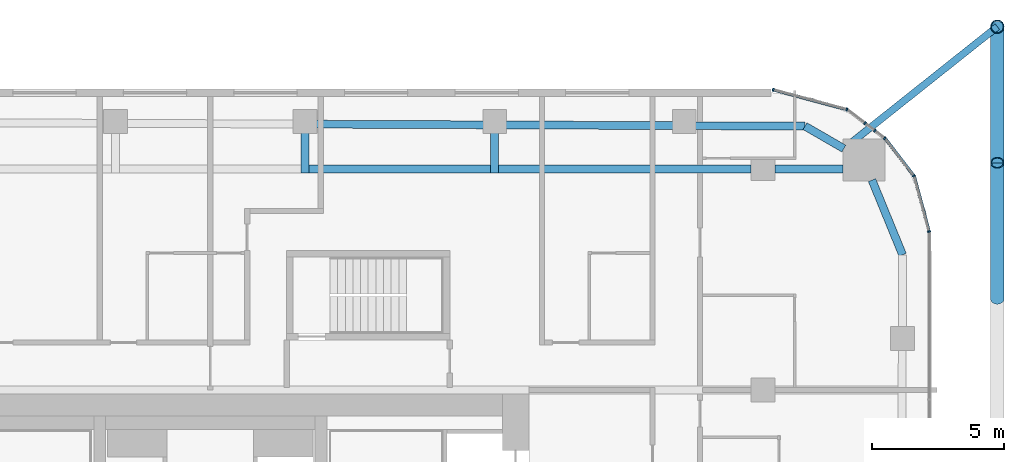
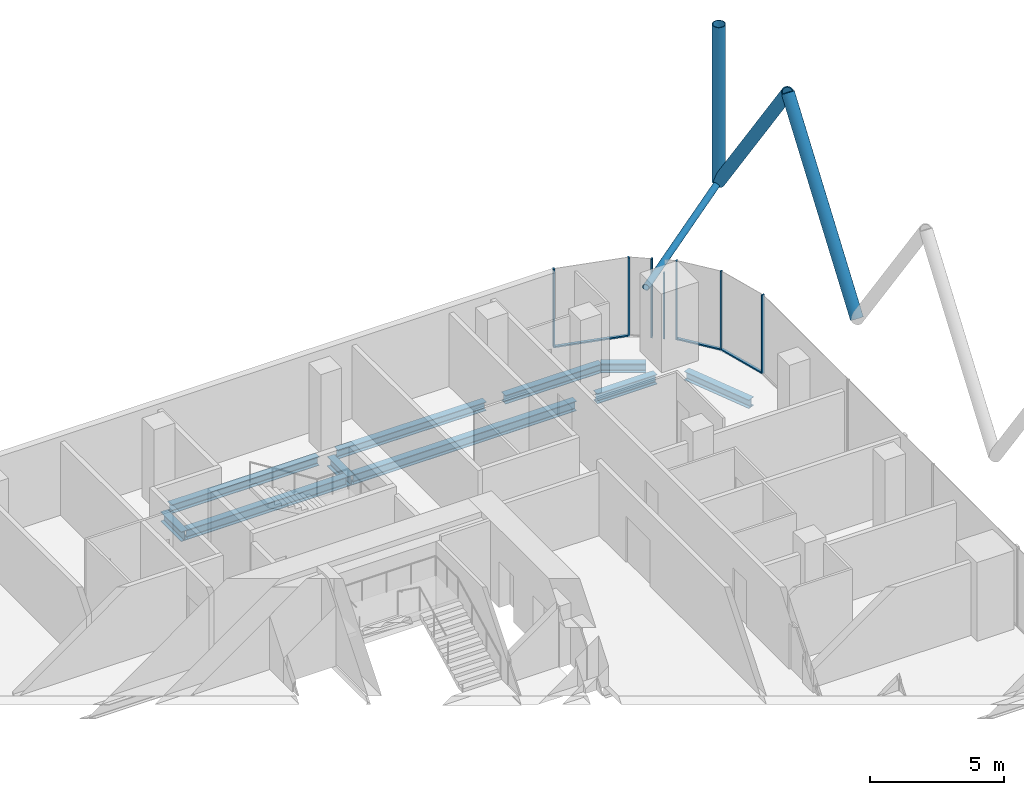
# One storey, part 14 of 33: 14 members, 10 beams, 6 elements without a shape of their own.
"""IFC4 building model written with IfcOpenShell, lengths in metres."""

from ifc_helpers import new_model, si_unit, direction, frame, origin, origin_2d, place, context, subcontext, project, spatial, rectangle, hollow_circle, i_section, extrude, material, layer, layer_set, material_profile, profile_set, type_object, element, aggregate, save


model = new_model("IFC4")

# Units and contexts
model_context = context("Model", 3, precision=1e-05, world=origin(), true_north=direction((0.0, 1.0)))
body_context = subcontext(model_context, "Body", "Model", "MODEL_VIEW")
ifc_project = project(units=[si_unit("LENGTHUNIT", "METRE"), si_unit("AREAUNIT", "SQUARE_METRE"), si_unit("VOLUMEUNIT", "CUBIC_METRE"), si_unit("PLANEANGLEUNIT", "RADIAN"), si_unit("MASSUNIT", "GRAM", prefix="KILO")], contexts=[model_context])

# Site, building, storey
site_placement = place(None, origin())
site = spatial("IfcSite", under=ifc_project, at=site_placement, CompositionType="ELEMENT")
building_placement = place(site_placement, origin())
building = spatial("IfcBuilding", under=site, at=building_placement, Name="Marenta Gate Hotel Tower", CompositionType="ELEMENT")
storey_placement = place(building_placement, frame((0.0, 0.0, 137.300048828125)))
storey = spatial("IfcBuildingStorey", under=building, at=storey_placement, Name="L31", CompositionType="ELEMENT", Elevation=137.300048828125)

# Members
ifc_material_1 = material(Name="Steel S355J2W", Category="steel")
ifc_material_profile_1 = material_profile(ifc_material_1, hollow_circle(Radius=0.25390625, WallThickness=0.02490234375, at=origin_2d()), Name="CHS 508x25")
ifc_profile_set_1 = profile_set([ifc_material_profile_1], Name="Steel S355J2W")
member_type_1 = type_object("IfcMemberType", Name="Diagrid corner post Z2 CHS 508x25", PredefinedType="POST", material=ifc_profile_set_1)
member_1_placement = place(storey_placement, frame((29.89990234375, 30.60009765625, 3.139892578125), z_axis=(0.0, 0.0, 1.0), x_axis=(1.0, 0.0, 0.0)))
element("IfcMember", 1, at=member_1_placement, inside=storey, type_object=member_type_1, Name="L31-DR-1", PredefinedType="POST", context=body_context, shape_type="SweptSolid", body=[
    extrude(hollow_circle(Radius=0.25390625, WallThickness=0.02490234375, at=origin_2d()), origin(), (0.0, 0.0, 1.0), 7.199951171875),
])
ifc_material_2 = material(Name="Steel S355J2W", Category="steel")
ifc_material_profile_2 = material_profile(ifc_material_2, hollow_circle(Radius=0.25390625, WallThickness=0.0400390625, at=origin_2d()), Name="CHS 508x40")
ifc_profile_set_2 = profile_set([ifc_material_profile_2], Name="Steel S355J2W")
member_type_2 = type_object("IfcMemberType", Name="Diagrid diagonal Z2 CHS 508x40", PredefinedType="BRACE", material=ifc_profile_set_2)
member_2_placement = place(storey_placement, frame((29.89990234375, 30.60009765625, 3.139892578125), z_axis=(0.0, -0.583279014058, 0.812271870595), x_axis=(1.0, 0.0, 0.0)))
element("IfcMember", 2, at=member_2_placement, inside=storey, type_object=member_type_2, Name="L31-DG-1", PredefinedType="BRACE", context=body_context, shape_type="SweptSolid", body=[
    extrude(hollow_circle(Radius=0.25390625, WallThickness=0.0400390625, at=origin_2d()), origin(), (0.0, 0.0, 1.0), 8.864013671875),
])
member_3_placement = place(storey_placement, frame((29.89990234375, 20.260009765625, 3.139892578125), z_axis=(0.0, 0.583260841117, 0.812284919975), x_axis=(-1.0, 0.0, 0.0)))
element("IfcMember", 3, at=member_3_placement, inside=storey, type_object=member_type_2, Name="L31-DG-2", PredefinedType="BRACE", context=body_context, shape_type="SweptSolid", body=[
    extrude(hollow_circle(Radius=0.25390625, WallThickness=0.0400390625, at=origin_2d()), origin(), (0.0, 0.0, 1.0), 8.86376953125),
])

# Beams
ifc_material_3 = material(Name="Steel S355", Category="steel")
ifc_material_profile_3 = material_profile(ifc_material_3, i_section(OverallWidth=0.300048828125, OverallDepth=0.39990234375, WebThickness=0.013427734375, FlangeThickness=0.02392578125, FilletRadius=0.027099609375, at=origin_2d()), Name="HEB 400")
ifc_profile_set_3 = profile_set([ifc_material_profile_3], Name="Steel S355")
beam_type_1 = type_object("IfcBeamType", Name="Edge beam HEB 400", PredefinedType="SPANDREL", material=ifc_profile_set_3)
beam_1_placement = place(storey_placement, frame((4.011474609375, 26.89697265625, -0.4599609375), z_axis=(0.999991780119, -0.004054589324, 0.0), x_axis=(0.004054589324, 0.999991780119, 0.0)))
element("IfcBeam", 4, at=beam_1_placement, inside=storey, type_object=beam_type_1, Name="L31-EB-17", PredefinedType="SPANDREL", context=body_context, shape_type="SweptSolid", body=[
    extrude(i_section(OverallWidth=0.300048828125, OverallDepth=0.39990234375, WebThickness=0.013427734375, FlangeThickness=0.02392578125, FilletRadius=0.027099609375, at=origin_2d()), origin(), (0.0, 0.0, 1.0), 6.382568359375),
])
beam_2_placement = place(storey_placement, frame((11.214111328125, 26.86767578125, -0.4599609375), z_axis=(0.999991780748, -0.00405443424, 0.0), x_axis=(0.00405443424, 0.999991780748, 0.0)))
element("IfcBeam", 5, at=beam_2_placement, inside=storey, type_object=beam_type_1, Name="L31-EB-18", PredefinedType="SPANDREL", context=body_context, shape_type="SweptSolid", body=[
    extrude(i_section(OverallWidth=0.300048828125, OverallDepth=0.39990234375, WebThickness=0.013427734375, FlangeThickness=0.02392578125, FilletRadius=0.027099609375, at=origin_2d()), origin(), (0.0, 0.0, 1.0), 6.3828125),
])
beam_3_placement = place(storey_placement, frame((18.4169921875, 26.83837890625, -0.4599609375), z_axis=(0.999991621459, -0.004093532953, 0.0), x_axis=(0.004093532953, 0.999991621459, 0.0)))
element("IfcBeam", 6, at=beam_3_placement, inside=storey, type_object=beam_type_1, Name="L31-EB-19", PredefinedType="SPANDREL", context=body_context, shape_type="SweptSolid", body=[
    extrude(i_section(OverallWidth=0.300048828125, OverallDepth=0.39990234375, WebThickness=0.013427734375, FlangeThickness=0.02392578125, FilletRadius=0.027099609375, at=origin_2d()), origin(), (0.0, 0.0, 1.0), 4.1748046875),
])
beam_4_placement = place(storey_placement, frame((22.591796875, 26.8212890625, -0.4599609375), z_axis=(0.866016478054, -0.500015459501, 0.0), x_axis=(0.500015459501, 0.866016478054, 0.0)))
element("IfcBeam", 7, at=beam_4_placement, inside=storey, type_object=beam_type_1, Name="L31-EB-20", PredefinedType="SPANDREL", context=body_context, shape_type="SweptSolid", body=[
    extrude(i_section(OverallWidth=0.300048828125, OverallDepth=0.39990234375, WebThickness=0.013427734375, FlangeThickness=0.02392578125, FilletRadius=0.027099609375, at=origin_2d()), origin(), (0.0, 0.0, 1.0), 1.70703125),
])
beam_5_placement = place(storey_placement, frame((25.138916015625, 24.7724609375, -0.4599609375), z_axis=(0.378682450416, -0.925526661824, 0.0), x_axis=(0.925526661824, 0.378682450416, 0.0)))
element("IfcBeam", 8, at=beam_5_placement, inside=storey, type_object=beam_type_1, Name="L31-EB-21", PredefinedType="SPANDREL", context=body_context, shape_type="SweptSolid", body=[
    extrude(i_section(OverallWidth=0.300048828125, OverallDepth=0.39990234375, WebThickness=0.013427734375, FlangeThickness=0.02392578125, FilletRadius=0.027099609375, at=origin_2d()), origin(), (0.0, 0.0, 1.0), 3.066162109375),
])

# Member
ifc_material_4 = material(Name="Steel S355J2W", Category="steel")
ifc_material_profile_4 = material_profile(ifc_material_4, hollow_circle(Radius=0.136474609375, WallThickness=0.012451171875, at=origin_2d()), Name="CHS 273x12.5")
ifc_profile_set_4 = profile_set([ifc_material_profile_4], Name="Steel S355J2W")
member_type_3 = type_object("IfcMemberType", Name="Floor tie CHS 273x12.5", PredefinedType="STRUT", material=ifc_profile_set_4)
member_4_placement = place(storey_placement, frame((29.89990234375, 30.60009765625, 3.139892578125), z_axis=(-0.782942525187, -0.622094046149, 0.0), x_axis=(0.622094046149, -0.782942525187, 0.0)))
element("IfcMember", 9, at=member_4_placement, inside=storey, type_object=member_type_3, Name="L31-DR-7", PredefinedType="STRUT", context=body_context, shape_type="SweptSolid", body=[
    extrude(hollow_circle(Radius=0.136474609375, WallThickness=0.012451171875, at=origin_2d()), origin(), (0.0, 0.0, 1.0), 7.43896484375),
])

# Beams
ifc_material_5 = material(Name="Steel S355", Category="steel")
ifc_material_profile_5 = material_profile(ifc_material_5, i_section(OverallWidth=0.300048828125, OverallDepth=0.449951171875, WebThickness=0.013916015625, FlangeThickness=0.02587890625, FilletRadius=0.027099609375, at=origin_2d()), Name="HEB 450")
ifc_profile_set_5 = profile_set([ifc_material_profile_5], Name="Steel S355")
beam_type_2 = type_object("IfcBeamType", Name="Girder HEB 450", PredefinedType="BEAM", material=ifc_profile_set_5)
beam_6_placement = place(storey_placement, frame((3.75146484375, 25.199951171875, -0.485107421875), z_axis=(1.0, 0.0, 0.0), x_axis=(0.0, 1.0, 0.0)))
element("IfcBeam", 10, at=beam_6_placement, inside=storey, type_object=beam_type_2, Name="L31-GD-33", PredefinedType="BEAM", context=body_context, shape_type="SweptSolid", body=[
    extrude(i_section(OverallWidth=0.300048828125, OverallDepth=0.449951171875, WebThickness=0.013916015625, FlangeThickness=0.02587890625, FilletRadius=0.027099609375, at=origin_2d()), origin(), (0.0, 0.0, 1.0), 6.902587890625),
])
beam_7_placement = place(storey_placement, frame((10.9541015625, 25.199951171875, -0.485107421875), z_axis=(1.0, 0.0, 0.0), x_axis=(0.0, 1.0, 0.0)))
element("IfcBeam", 11, at=beam_7_placement, inside=storey, type_object=beam_type_2, Name="L31-GD-34", PredefinedType="BEAM", context=body_context, shape_type="SweptSolid", body=[
    extrude(i_section(OverallWidth=0.300048828125, OverallDepth=0.449951171875, WebThickness=0.013916015625, FlangeThickness=0.02587890625, FilletRadius=0.027099609375, at=origin_2d()), origin(), (0.0, 0.0, 1.0), 9.595947265625),
])
beam_8_placement = place(storey_placement, frame((21.449951171875, 25.199951171875, -0.485107421875), z_axis=(1.0, 0.0, 0.0), x_axis=(0.0, 1.0, 0.0)))
element("IfcBeam", 12, at=beam_8_placement, inside=storey, type_object=beam_type_2, Name="L31-GD-35", PredefinedType="BEAM", context=body_context, shape_type="SweptSolid", body=[
    extrude(i_section(OverallWidth=0.300048828125, OverallDepth=0.449951171875, WebThickness=0.013916015625, FlangeThickness=0.02587890625, FilletRadius=0.027099609375, at=origin_2d()), origin(), (0.0, 0.0, 1.0), 2.58544921875),
])
ifc_material_6 = material(Name="Steel S355", Category="steel")
ifc_material_profile_6 = material_profile(ifc_material_6, i_section(OverallWidth=0.300048828125, OverallDepth=0.449951171875, WebThickness=0.013916015625, FlangeThickness=0.02587890625, FilletRadius=0.027099609375, at=origin_2d()), Name="HEB 450")
ifc_profile_set_6 = profile_set([ifc_material_profile_6], Name="Steel S355")
beam_type_3 = type_object("IfcBeamType", Name="Girder bracket HEB 450", PredefinedType="BEAM", material=ifc_profile_set_6)
for number, where, z_axis, x_axis, name in (
    (13, (3.601318359375, 25.050048828125, -0.485107421875), (0.0, 1.0, 0.0), (-1.0, 0.0, 0.0), "L31-GS-3"),
    (14, (10.80419921875, 25.050048828125, -0.485107421875), (0.0, 1.0, 0.0), (-1.0, 0.0, 0.0), "L31-GS-4"),
):
    element("IfcBeam", number, at=place(storey_placement, frame(where, z_axis=z_axis, x_axis=x_axis)), inside=storey, type_object=beam_type_3, Name=name, PredefinedType="BEAM", context=body_context, shape_type="SweptSolid", body=[
        extrude(i_section(OverallWidth=0.300048828125, OverallDepth=0.449951171875, WebThickness=0.013916015625, FlangeThickness=0.02587890625, FilletRadius=0.027099609375, at=origin_2d()), origin(), (0.0, 0.0, 1.0), 1.5400390625),
    ])

# Curtain wall, member
ifc_material_7 = material(Name="Tinted insulated glass in bronze anodised frame", Category="glass")
ifc_layer = layer(ifc_material_7, 0.1201171875)
ifc_layer_set = layer_set([ifc_layer], Name="Tinted insulated glass in bronze anodised frame")
curtain_wall_type = type_object("IfcCurtainWallType", Name="Tower unitised curtain wall CW1", PredefinedType="NOTDEFINED", material=ifc_layer_set)
curtain_wall_1_placement = place(storey_placement, origin())
curtain_wall_1 = element("IfcCurtainWall", 15, at=curtain_wall_1_placement, inside=storey, type_object=curtain_wall_type, Name="CW1 run G20", PredefinedType="NOTDEFINED")
ifc_material_8 = material(Name="Bronze anodised aluminium", Category="aluminium")
ifc_material_profile_7 = material_profile(ifc_material_8, rectangle(XDim=0.1201171875, YDim=0.06005859375, at=origin_2d()), Name="Mullion CW1 60x120 bronze anodised aluminium")
ifc_profile_set_7 = profile_set([ifc_material_profile_7], Name="Bronze anodised aluminium")
member_type_4 = type_object("IfcMemberType", Name="Mullion CW1 60x120 bronze anodised aluminium", PredefinedType="MULLION", material=ifc_profile_set_7)
member_5_placement = place(storey_placement, frame((27.30615234375, 22.82080078125, 0.0), z_axis=(0.0, 0.0, 1.0), x_axis=(-0.965924859908, -0.258822651658, 0.0)))
member_5 = element("IfcMember", 16, at=member_5_placement, type_object=member_type_4, Name="CW1 mullion 1", PredefinedType="MULLION", context=body_context, shape_type="SweptSolid", body=[
    extrude(rectangle(XDim=0.1201171875, YDim=0.06005859375, at=origin_2d()), origin(), (0.0, 0.0, 1.0), 3.599853515625),
])

curtain_wall_2_placement = place(storey_placement, origin())
curtain_wall_2 = element("IfcCurtainWall", 17, at=curtain_wall_2_placement, inside=storey, type_object=curtain_wall_type, Name="CW1 run G21", PredefinedType="NOTDEFINED")
member_6_placement = place(storey_placement, frame((26.727783203125, 24.93505859375, 0.0), z_axis=(0.0, 0.0, 1.0), x_axis=(-0.793326722289, -0.608796116694, 0.0)))
member_6 = element("IfcMember", 18, at=member_6_placement, type_object=member_type_4, Name="CW1 mullion 1", PredefinedType="MULLION", context=body_context, shape_type="SweptSolid", body=[
    extrude(rectangle(XDim=0.1201171875, YDim=0.06005859375, at=origin_2d()), origin(), (0.0, 0.0, 1.0), 3.599853515625),
])

curtain_wall_3_placement = place(storey_placement, origin())
curtain_wall_3 = element("IfcCurtainWall", 19, at=curtain_wall_3_placement, inside=storey, type_object=curtain_wall_type, Name="CW1 run G22", PredefinedType="NOTDEFINED")
member_7_placement = place(storey_placement, frame((25.62158203125, 26.36376953125, 0.0), z_axis=(0.0, 0.0, 1.0), x_axis=(-0.608778467767, -0.793340265701, 0.0)))
member_7 = element("IfcMember", 20, at=member_7_placement, type_object=member_type_4, Name="CW1 mullion 1", PredefinedType="MULLION", context=body_context, shape_type="SweptSolid", body=[
    extrude(rectangle(XDim=0.1201171875, YDim=0.06005859375, at=origin_2d()), origin(), (0.0, 0.0, 1.0), 3.599853515625),
])
aggregate(curtain_wall_3, [member_7])

curtain_wall_4_placement = place(storey_placement, origin())
curtain_wall_4 = element("IfcCurtainWall", 21, at=curtain_wall_4_placement, inside=storey, type_object=curtain_wall_type, Name="CW1 run G23", PredefinedType="NOTDEFINED")
member_8_placement = place(storey_placement, frame((25.247314453125, 26.651123046875, 0.0), z_axis=(0.0, 0.0, 1.0), x_axis=(-0.608737274752, -0.79337187392, 0.0)))
member_8 = element("IfcMember", 22, at=member_8_placement, type_object=member_type_4, Name="CW1 mullion 1", PredefinedType="MULLION", context=body_context, shape_type="SweptSolid", body=[
    extrude(rectangle(XDim=0.1201171875, YDim=0.06005859375, at=origin_2d()), origin(), (0.0, 0.0, 1.0), 3.00048828125),
])
aggregate(curtain_wall_4, [member_8])

curtain_wall_5_placement = place(storey_placement, origin())
curtain_wall_5 = element("IfcCurtainWall", 23, at=curtain_wall_5_placement, inside=storey, type_object=curtain_wall_type, Name="CW1 run G24", PredefinedType="NOTDEFINED")
member_9_placement = place(storey_placement, frame((24.876953125, 26.935302734375, 0.0), z_axis=(0.0, 0.0, 1.0), x_axis=(-0.608837310591, -0.793295108539, 0.0)))
member_9 = element("IfcMember", 24, at=member_9_placement, type_object=member_type_4, Name="CW1 mullion 1", PredefinedType="MULLION", context=body_context, shape_type="SweptSolid", body=[
    extrude(rectangle(XDim=0.1201171875, YDim=0.06005859375, at=origin_2d()), origin(), (0.0, 0.0, 1.0), 3.599853515625),
])
aggregate(curtain_wall_5, [member_9])

# Curtain wall, members
curtain_wall_6_placement = place(storey_placement, origin())
curtain_wall_6 = element("IfcCurtainWall", 25, at=curtain_wall_6_placement, inside=storey, type_object=curtain_wall_type, Name="CW1 run G25", PredefinedType="NOTDEFINED")
member_10_placement = place(storey_placement, frame((24.182373046875, 27.453857421875, 0.0), z_axis=(0.0, 0.0, 1.0), x_axis=(-0.258805989975, -0.965929324305, 0.0)))
member_10 = element("IfcMember", 26, at=member_10_placement, type_object=member_type_4, Name="CW1 mullion 1", PredefinedType="MULLION", context=body_context, shape_type="SweptSolid", body=[
    extrude(rectangle(XDim=0.1201171875, YDim=0.06005859375, at=origin_2d()), origin(), (0.0, 0.0, 1.0), 3.599853515625),
])
member_11_placement = place(storey_placement, frame((21.385498046875, 28.203125, 0.0), z_axis=(0.0, 0.0, 1.0), x_axis=(-0.258805989975, -0.965929324305, 0.0)))
member_11 = element("IfcMember", 27, at=member_11_placement, type_object=member_type_4, Name="CW1 mullion 2", PredefinedType="MULLION", context=body_context, shape_type="SweptSolid", body=[
    extrude(rectangle(XDim=0.1201171875, YDim=0.06005859375, at=origin_2d()), origin(), (0.0, 0.0, 1.0), 3.599853515625),
])

# Member
ifc_material_9 = material(Name="Bronze anodised aluminium", Category="aluminium")
ifc_material_profile_8 = material_profile(ifc_material_9, rectangle(XDim=0.1201171875, YDim=0.06005859375, at=origin_2d()), Name="Transom CW1 60x120 bronze anodised aluminium")
ifc_profile_set_8 = profile_set([ifc_material_profile_8], Name="Bronze anodised aluminium")
member_type_5 = type_object("IfcMemberType", Name="Transom CW1 60x120 bronze anodised aluminium", PredefinedType="USERDEFINED", material=ifc_profile_set_8)
member_12_placement = place(storey_placement, frame((27.298583984375, 22.849853515625, 0.030029296875), z_axis=(-0.258865686882, 0.965913327455, 0.0), x_axis=(-0.965913327455, -0.258865686882, 0.0)))
member_12 = element("IfcMember", 28, at=member_12_placement, type_object=member_type_5, Name="CW1 transom 1.1", ObjectType="TRANSOM", PredefinedType="USERDEFINED", context=body_context, shape_type="SweptSolid", body=[
    extrude(rectangle(XDim=0.1201171875, YDim=0.06005859375, at=origin_2d()), origin(), (0.0, 0.0, 1.0), 2.13427734375),
])

aggregate(curtain_wall_1, [member_5, member_12])

member_13_placement = place(storey_placement, frame((26.70947265625, 24.958984375, 0.030029296875), z_axis=(-0.608792205599, 0.793329723634, 0.0), x_axis=(-0.793329723634, -0.608792205599, 0.0)))
member_13 = element("IfcMember", 29, at=member_13_placement, type_object=member_type_5, Name="CW1 transom 1.1", ObjectType="TRANSOM", PredefinedType="USERDEFINED", context=body_context, shape_type="SweptSolid", body=[
    extrude(rectangle(XDim=0.1201171875, YDim=0.06005859375, at=origin_2d()), origin(), (0.0, 0.0, 1.0), 1.74755859375),
])

aggregate(curtain_wall_2, [member_6, member_13])

member_14_placement = place(storey_placement, frame((24.1533203125, 27.461669921875, 0.030029296875), z_axis=(-0.965922684272, 0.258830770986, 0.0), x_axis=(-0.258830770986, -0.965922684272, 0.0)))
member_14 = element("IfcMember", 30, at=member_14_placement, type_object=member_type_5, Name="CW1 transom 1.1", ObjectType="TRANSOM", PredefinedType="USERDEFINED", context=body_context, shape_type="SweptSolid", body=[
    extrude(rectangle(XDim=0.1201171875, YDim=0.06005859375, at=origin_2d()), origin(), (0.0, 0.0, 1.0), 2.83544921875),
])

aggregate(curtain_wall_6, [member_10, member_11, member_14])

save(model, "model.ifc")
